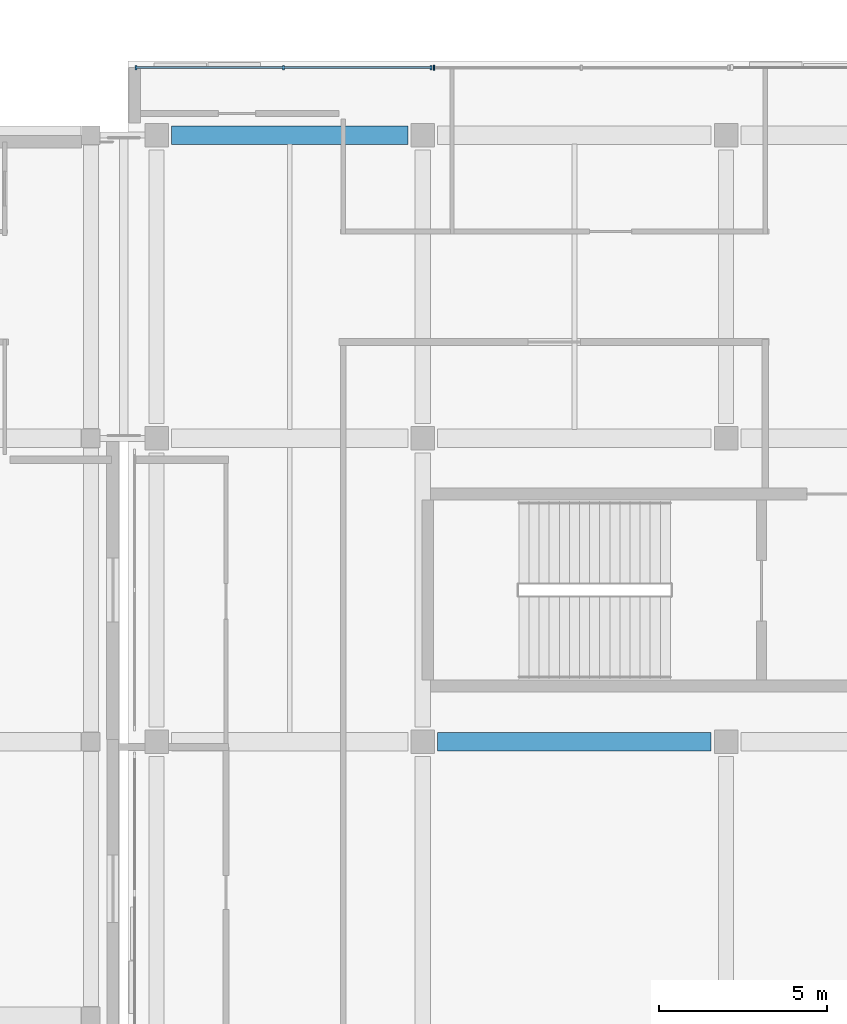
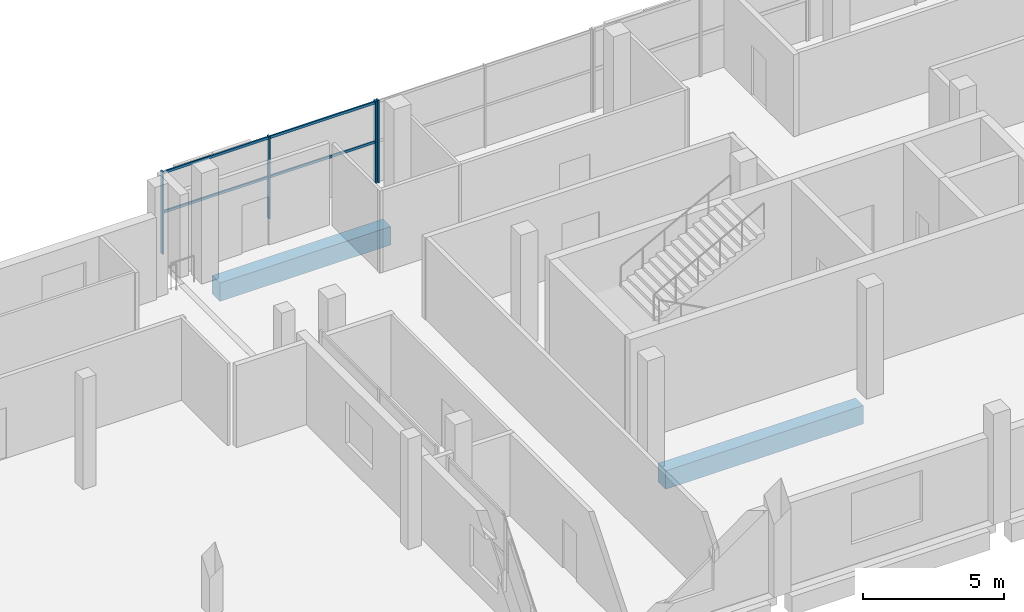
# One storey, part 44 of 111: 6 members, 2 beams, 2 elements without a shape of their own.
"""IFC4 building model written with IfcOpenShell, lengths in metres."""

from ifc_helpers import new_model, si_unit, direction, frame, origin, origin_2d, place, context, subcontext, project, spatial, rectangle, extrude, material, material_profile, profile_set, type_object, element, aggregate, save


model = new_model("IFC4")

# Units and contexts
model_context = context("Model", 3, precision=1e-05, world=origin(), true_north=direction((0.0, 1.0)))
body_context = subcontext(model_context, "Body", "Model", "MODEL_VIEW")
ifc_project = project(units=[si_unit("LENGTHUNIT", "METRE"), si_unit("AREAUNIT", "SQUARE_METRE"), si_unit("VOLUMEUNIT", "CUBIC_METRE"), si_unit("PLANEANGLEUNIT", "RADIAN"), si_unit("MASSUNIT", "GRAM", prefix="KILO"), si_unit("THERMODYNAMICTEMPERATUREUNIT", "KELVIN"), si_unit("POWERUNIT", "WATT")], contexts=[model_context])

# Site, building, storey
site_placement = place(None, origin())
site = spatial("IfcSite", under=ifc_project, at=site_placement, CompositionType="ELEMENT")
building_placement = place(site_placement, origin())
building = spatial("IfcBuilding", under=site, at=building_placement, Name="Sindhuravela Promenade Stadium", CompositionType="ELEMENT")
storey_placement = place(building_placement, frame((0.0, 0.0, 9.60009765625)))
storey = spatial("IfcBuildingStorey", under=building, at=storey_placement, Name="L02", CompositionType="ELEMENT", Elevation=9.60009765625)

# Curtain wall, members
ifc_material_1 = material(Name="Anodised architectural aluminium 6063-T6", Category="aluminium")
curtain_wall_type_1 = type_object("IfcCurtainWallType", Name="CW-MOD-3", PredefinedType="NOTDEFINED", material=ifc_material_1)
curtain_wall_1_placement = place(storey_placement, origin())
curtain_wall_1 = element("IfcCurtainWall", 1, at=curtain_wall_1_placement, inside=storey, type_object=curtain_wall_type_1, Name="Bronze curtain wall CW-NORTH-L02-154", PredefinedType="NOTDEFINED")
ifc_material_profile_1 = material_profile(ifc_material_1, rectangle(XDim=0.06005859375, YDim=0.139892578125, at=origin_2d()), Name="ALU M60x140")
ifc_profile_set_1 = profile_set([ifc_material_profile_1], Name="Anodised architectural aluminium 6063-T6")
member_type_1 = type_object("IfcMemberType", Name="CW-MUL-5", PredefinedType="MULLION", material=ifc_profile_set_1)
member_1_placement = place(storey_placement, frame((54.4951171875, 155.0, 0.0), z_axis=(0.0, 0.0, 1.0), x_axis=(1.0, 0.0, 0.0)))
member_1 = element("IfcMember", 2, at=member_1_placement, type_object=member_type_1, Name="Curtain wall mullion CW-NORTH-L02-154-M1", PredefinedType="MULLION", context=body_context, shape_type="SweptSolid", body=[
    extrude(rectangle(XDim=0.06005859375, YDim=0.139892578125, at=origin_2d()), origin(), (0.0, 0.0, 1.0), 3.579833984375),
])
member_2_placement = place(storey_placement, frame((58.868896484375, 155.0, 0.0), z_axis=(0.0, 0.0, 1.0), x_axis=(1.0, 0.0, 0.0)))
member_2 = element("IfcMember", 3, at=member_2_placement, type_object=member_type_1, Name="Curtain wall mullion CW-NORTH-L02-154-M2", PredefinedType="MULLION", context=body_context, shape_type="SweptSolid", body=[
    extrude(rectangle(XDim=0.06005859375, YDim=0.139892578125, at=origin_2d()), origin(), (0.0, 0.0, 1.0), 3.579833984375),
])
member_3_placement = place(storey_placement, frame((63.242431640625, 155.0, 0.0), z_axis=(0.0, 0.0, 1.0), x_axis=(1.0, 0.0, 0.0)))
member_3 = element("IfcMember", 4, at=member_3_placement, type_object=member_type_1, Name="Curtain wall mullion CW-NORTH-L02-154-M3", PredefinedType="MULLION", context=body_context, shape_type="SweptSolid", body=[
    extrude(rectangle(XDim=0.06005859375, YDim=0.139892578125, at=origin_2d()), origin(), (0.0, 0.0, 1.0), 3.579833984375),
])

# Curtain wall, member
curtain_wall_type_2 = type_object("IfcCurtainWallType", Name="CW-MOD-4", PredefinedType="NOTDEFINED", material=ifc_material_1)
curtain_wall_2_placement = place(storey_placement, origin())
curtain_wall_2 = element("IfcCurtainWall", 5, at=curtain_wall_2_placement, inside=storey, type_object=curtain_wall_type_2, Name="Bronze curtain wall CW-NORTH-L02-155", PredefinedType="NOTDEFINED")
ifc_material_profile_2 = material_profile(ifc_material_1, rectangle(XDim=0.054931640625, YDim=0.14990234375, at=origin_2d()), Name="ALU M55x150")
ifc_profile_set_2 = profile_set([ifc_material_profile_2], Name="Anodised architectural aluminium 6063-T6")
member_type_2 = type_object("IfcMemberType", Name="CW-MUL-6", PredefinedType="MULLION", material=ifc_profile_set_2)
member_4_placement = place(storey_placement, frame((63.33251953125, 155.0, 0.0), z_axis=(0.0, 0.0, 1.0), x_axis=(1.0, 0.0, 0.0)))
member_4 = element("IfcMember", 6, at=member_4_placement, type_object=member_type_2, Name="Curtain wall mullion CW-NORTH-L02-155-M1", PredefinedType="MULLION", context=body_context, shape_type="SweptSolid", body=[
    extrude(rectangle(XDim=0.054931640625, YDim=0.14990234375, at=origin_2d()), origin(), (0.0, 0.0, 1.0), 3.579833984375),
])
aggregate(curtain_wall_2, [member_4])

# Member
ifc_material_profile_3 = material_profile(ifc_material_1, rectangle(XDim=0.06005859375, YDim=0.110107421875, at=origin_2d()), Name="ALU T60x110")
ifc_profile_set_3 = profile_set([ifc_material_profile_3], Name="Anodised architectural aluminium 6063-T6")
member_type_3 = type_object("IfcMemberType", Name="CW-TRN-5", PredefinedType="USERDEFINED", material=ifc_profile_set_3)
member_5_placement = place(storey_placement, frame((54.469970703125, 155.0, 1.789794921875), z_axis=(1.0, 0.0, 0.0), x_axis=(0.0, 1.0, 0.0)))
member_5 = element("IfcMember", 7, at=member_5_placement, type_object=member_type_3, Name="Curtain wall transom CW-NORTH-L02-154-T1", ObjectType="TRANSOM", PredefinedType="USERDEFINED", context=body_context, shape_type="SweptSolid", body=[
    extrude(rectangle(XDim=0.06005859375, YDim=0.110107421875, at=origin_2d()), origin(), (0.0, 0.0, 1.0), 8.797607421875),
])

member_6_placement = place(storey_placement, frame((54.469970703125, 155.0, 3.5), z_axis=(1.0, 0.0, 0.0), x_axis=(0.0, 1.0, 0.0)))
member_6 = element("IfcMember", 8, at=member_6_placement, type_object=member_type_3, Name="Curtain wall transom CW-NORTH-L02-154-T2", ObjectType="TRANSOM", PredefinedType="USERDEFINED", context=body_context, shape_type="SweptSolid", body=[
    extrude(rectangle(XDim=0.06005859375, YDim=0.110107421875, at=origin_2d()), origin(), (0.0, 0.0, 1.0), 8.797607421875),
])

aggregate(curtain_wall_1, [member_1, member_2, member_3, member_5, member_6])

# Beams
ifc_material_2 = material(Name="Concrete M40", Category="concrete")
ifc_material_profile_4 = material_profile(ifc_material_2, rectangle(XDim=0.550048828125, YDim=0.800048828125, at=origin_2d()), Name="RC 550x800")
ifc_profile_set_4 = profile_set([ifc_material_profile_4], Name="Concrete M40")
beam_type = type_object("IfcBeamType", Name="RC-BM-550x800", PredefinedType="BEAM", material=ifc_profile_set_4)
beam_1_placement = place(storey_placement, frame((63.43994140625, 135.0, -0.68017578125), z_axis=(1.0, 0.0, 0.0), x_axis=(0.0, 1.0, 0.0)))
element("IfcBeam", 9, at=beam_1_placement, inside=storey, type_object=beam_type, Name="Primary girder GB05 NORTH L02", PredefinedType="BEAM", context=body_context, shape_type="SweptSolid", body=[
    extrude(rectangle(XDim=0.550048828125, YDim=0.800048828125, at=origin_2d()), origin(), (0.0, 0.0, 1.0), 8.1201171875),
])
beam_2_placement = place(storey_placement, frame((55.5400390625, 153.0, -0.68017578125), z_axis=(1.0, 0.0, 0.0), x_axis=(0.0, 1.0, 0.0)))
element("IfcBeam", 10, at=beam_2_placement, inside=storey, type_object=beam_type, Name="Primary girder GB05 NORTH L02", PredefinedType="BEAM", context=body_context, shape_type="SweptSolid", body=[
    extrude(rectangle(XDim=0.550048828125, YDim=0.800048828125, at=origin_2d()), origin(), (0.0, 0.0, 1.0), 7.02001953125),
])

save(model, "model.ifc")
